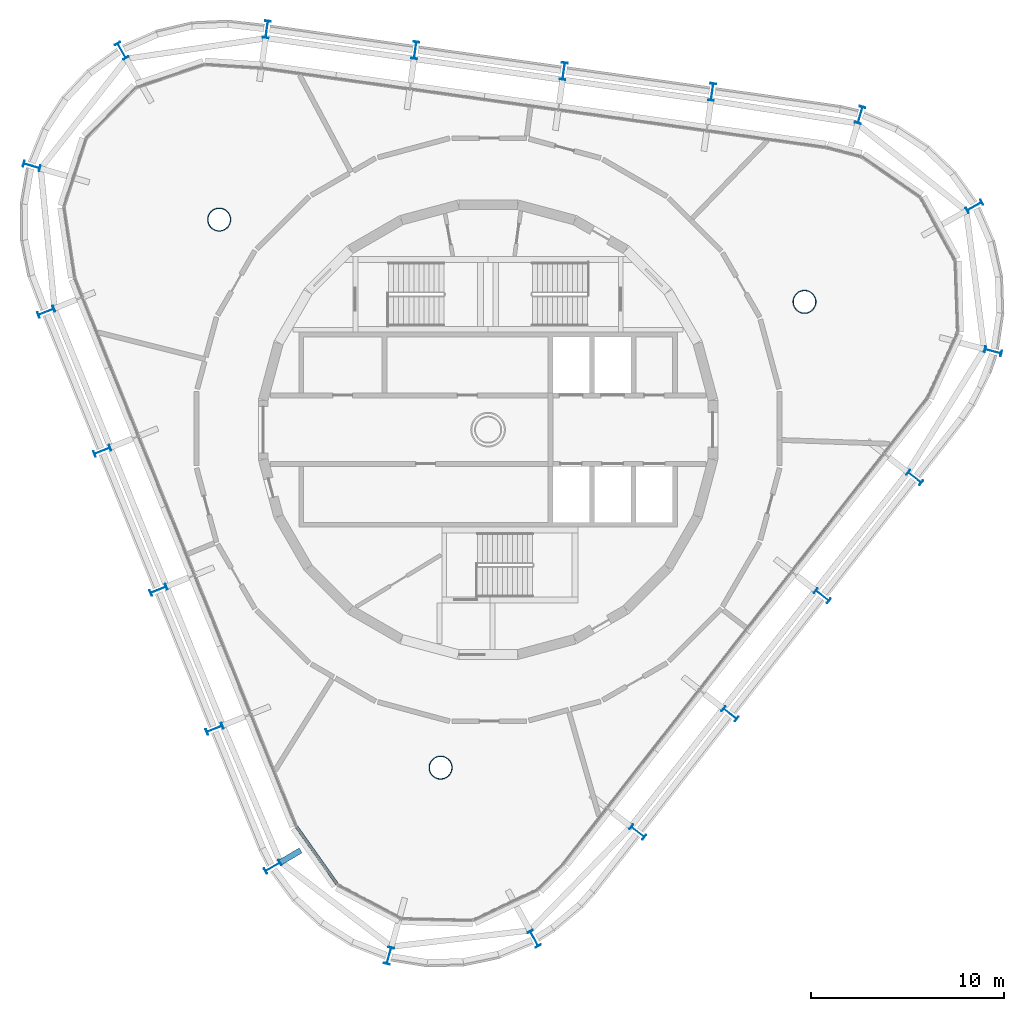
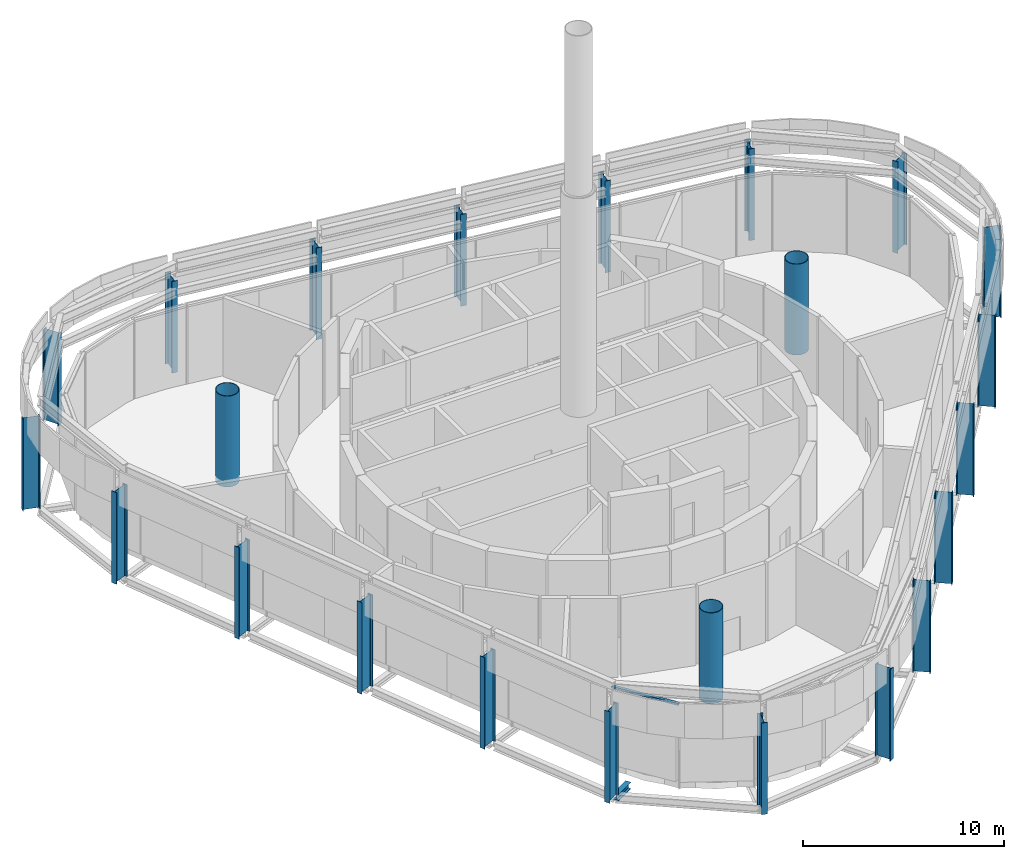
# One storey, part 1 of 15: 23 columns, 1 beam, 1 member, 1 element without a shape of its own.
"""IFC4 building model written with IfcOpenShell, lengths in metres."""

import ifcopenshell
import ifcopenshell.guid

model = None  # the IFC model being written
_history = None  # IfcOwnerHistory: only IFC2X3 demands one
_inside = {}  # id of a spatial element -> (the spatial element, [elements in it])
_under = {}  # id of a project, library or spatial element -> (it, [spatial elements below it])
_declared = {}  # id of a project -> (the project, [libraries it declares])
_typed = {}  # id of a type object -> (the type object, [elements of that type])
_made_of = {}  # id of a material, layer set ... -> (it, [elements and type objects made of it])


def new_model(schema):
    """Start an empty IFC model of exactly this schema.

    Asked for "IFC4X3", IfcOpenShell would pick the latest addendum, in which some entities
    have other attributes; the version numbers below select the first issue.
    IFC2X3 requires an IfcOwnerHistory on every rooted entity: one is made here for all.
    """
    global model, _history
    if schema == "IFC4X3":
        model = ifcopenshell.file(schema_version=(4, 3, 0, 0))
    else:
        model = ifcopenshell.file(schema=schema)
    _inside.clear()
    _under.clear()
    _declared.clear()
    _typed.clear()
    _made_of.clear()
    _history = None
    if model.schema == "IFC2X3":
        org = make("IfcOrganization", Name="unknown")
        user = make(
            "IfcPersonAndOrganization",
            ThePerson=make("IfcPerson", FamilyName="unknown"),
            TheOrganization=org,
        )
        app = make(
            "IfcApplication",
            ApplicationDeveloper=org,
            Version="unknown",
            ApplicationFullName="unknown",
            ApplicationIdentifier="unknown",
        )
        _history = make(
            "IfcOwnerHistory",
            OwningUser=user,
            OwningApplication=app,
            ChangeAction="ADDED",
            CreationDate=0,
        )
    return model


def make(cls, **values):
    """One entity of the class cls with the attributes given. An attribute that is None is left unset."""
    return model.create_entity(
        cls, **{name: value for name, value in values.items() if value is not None}
    )


def rooted(cls, **values):
    """An entity with a GlobalId (a new one), such as an element, a storey or a relation."""
    return make(cls, GlobalId=ifcopenshell.guid.new(), OwnerHistory=_history, **values)


def si_unit(unit_type, name, prefix=None):
    """IfcSIUnit, for example si_unit("LENGTHUNIT", "METRE", prefix="MILLI")."""
    return make("IfcSIUnit", UnitType=unit_type, Prefix=prefix, Name=name)


def assignment(units):
    """IfcUnitAssignment: the units of a project."""
    return None if units is None else make("IfcUnitAssignment", Units=units)


def point(xyz):
    """IfcCartesianPoint."""
    return None if xyz is None else make("IfcCartesianPoint", Coordinates=xyz)


def direction(xyz):
    """IfcDirection."""
    return None if xyz is None else make("IfcDirection", DirectionRatios=xyz)


def frame(location, z_axis=None, x_axis=None):
    """IfcAxis2Placement3D, a coordinate frame: its origin and axes. An axis left out is left unset."""
    return make(
        "IfcAxis2Placement3D",
        Location=point(location),
        Axis=direction(z_axis),
        RefDirection=direction(x_axis),
    )


def frame_2d(location, x_axis=None):
    """IfcAxis2Placement2D, a coordinate frame in the plane: its origin and x axis."""
    return make(
        "IfcAxis2Placement2D", Location=point(location), RefDirection=direction(x_axis)
    )


def origin():
    """The frame at (0, 0, 0) with its axes left unset."""
    return frame((0.0, 0.0, 0.0))


def origin_2d():
    """The frame at (0, 0) in the plane with its x axis left unset."""
    return frame_2d((0.0, 0.0))


def place(relative_to, where):
    """IfcLocalPlacement: puts the frame where relative to a parent placement (None: the world)."""
    return make(
        "IfcLocalPlacement", PlacementRelTo=relative_to, RelativePlacement=where
    )


def context(
    kind, dimensions, precision=None, world=None, true_north=None, identifier=None
):
    """IfcGeometricRepresentationContext, for example the 3D "Model" context."""
    return make(
        "IfcGeometricRepresentationContext",
        ContextIdentifier=identifier,
        ContextType=kind,
        CoordinateSpaceDimension=dimensions,
        Precision=precision,
        WorldCoordinateSystem=world,
        TrueNorth=true_north,
    )


def subcontext(parent, identifier, kind, view, scale=None):
    """IfcGeometricRepresentationSubContext, for example "Body" below "Model"."""
    return make(
        "IfcGeometricRepresentationSubContext",
        ContextIdentifier=identifier,
        ContextType=kind,
        ParentContext=parent,
        TargetScale=scale,
        TargetView=view,
    )


def project(units=None, contexts=None):
    """IfcProject with its units and contexts."""
    return rooted(
        "IfcProject",
        Name="project",
        RepresentationContexts=contexts,
        UnitsInContext=assignment(units),
    )


def spatial(cls, under=None, at=None, **own):
    """A site, building, storey or space (cls), placed at a placement, below another one or the project."""
    s = rooted(cls, ObjectPlacement=at, **own)
    if under is not None:
        _under.setdefault(under.id(), (under, []))[1].append(s)
    return s


def profile(cls, at=None, kind="AREA", **sizes):
    """A parametric profile (cls). Its sizes go by their IFC names, for example OverallWidth=200.0."""
    return make(cls, ProfileType=kind, Position=at, **sizes)


def rectangle(**sizes):
    """IfcRectangleProfileDef."""
    return profile("IfcRectangleProfileDef", **sizes)


def hollow_circle(**sizes):
    """IfcCircleHollowProfileDef."""
    return profile("IfcCircleHollowProfileDef", **sizes)


def i_section(**sizes):
    """IfcIShapeProfileDef."""
    return profile("IfcIShapeProfileDef", **sizes)


def extrude(swept, where, along, depth):
    """IfcExtrudedAreaSolid: the profile swept, set in the frame where, extruded along a direction by depth."""
    return make(
        "IfcExtrudedAreaSolid",
        SweptArea=swept,
        Position=where,
        ExtrudedDirection=direction(along),
        Depth=depth,
    )


def shape(context_of_items, identifier, shape_type, items):
    """IfcShapeRepresentation: the items that make up one representation, for example the "Body"."""
    return make(
        "IfcShapeRepresentation",
        ContextOfItems=context_of_items,
        RepresentationIdentifier=identifier,
        RepresentationType=shape_type,
        Items=items,
    )


def material(Name=None, Category=None):
    """IfcMaterial."""
    return make("IfcMaterial", Name=Name, Category=Category)


def layer(
    of_material, thickness, ventilated=None, Name=None, Category=None, Priority=None
):
    """IfcMaterialLayer: one layer of a wall or slab, of a material (None: an air gap)."""
    return make(
        "IfcMaterialLayer",
        Material=of_material,
        LayerThickness=thickness,
        IsVentilated=ventilated,
        Name=Name,
        Category=Category,
        Priority=Priority,
    )


def layer_set(layers, Name=None):
    """IfcMaterialLayerSet."""
    return make("IfcMaterialLayerSet", MaterialLayers=layers, LayerSetName=Name)


def material_profile(
    of_material, cross_section, Name=None, Category=None, Priority=None
):
    """IfcMaterialProfile: a cross section and its material."""
    return make(
        "IfcMaterialProfile",
        Name=Name,
        Material=of_material,
        Profile=cross_section,
        Priority=Priority,
        Category=Category,
    )


def profile_set(profiles, Name=None, composite=None):
    """IfcMaterialProfileSet."""
    return make(
        "IfcMaterialProfileSet",
        Name=Name,
        MaterialProfiles=profiles,
        CompositeProfile=composite,
    )


def made_of(thing, what):
    """Note that an element or type object is made of a material, layer set ...; save() writes the relation."""
    if what is not None:
        _made_of.setdefault(what.id(), (what, []))[1].append(thing)
    return thing


def type_object(cls, material=None, **own):
    """A type object (cls), such as IfcWallType, which elements share."""
    return made_of(rooted(cls, **own), material)


def element(
    cls,
    number,
    at=None,
    inside=None,
    cuts=None,
    type_object=None,
    material=None,
    context=None,
    identifier="Body",
    shape_type=None,
    held_by="IfcProductDefinitionShape",
    body=None,
    shapes=None,
    **own,
):
    """One element of the class cls, such as IfcWall. Its Tag is "e" and its number.

    at: its placement. inside: the storey or other place that contains it. cuts: it is an
    opening in that element (IfcRelVoidsElement). A single representation is given by context,
    identifier, shape_type and body (its items); several are given by shapes. held_by: the class
    of the entity that holds the representations. save() writes the other relations.
    """
    e = rooted(cls, Tag="e%d" % number, ObjectPlacement=at, **own)
    if body is not None:
        shapes = [shape(context, identifier, shape_type, body)]
    if shapes is not None:
        e.Representation = make(held_by, Representations=shapes)
    if inside is not None:
        _inside.setdefault(inside.id(), (inside, []))[1].append(e)
    if cuts is not None:
        rooted(
            "IfcRelVoidsElement", RelatingBuildingElement=cuts, RelatedOpeningElement=e
        )
    if type_object is not None:
        _typed.setdefault(type_object.id(), (type_object, []))[1].append(e)
    return made_of(e, material)


def aggregate(whole, parts):
    """IfcRelAggregates: a whole, such as a stair, and the parts it consists of."""
    return rooted("IfcRelAggregates", RelatingObject=whole, RelatedObjects=parts)


def save(model, path):
    """Write the relations noted so far, then the file.

    IfcRelAggregates (storeys below a building ...), IfcRelContainedInSpatialStructure (elements
    in a storey), IfcRelDefinesByType, IfcRelAssociatesMaterial and IfcRelDeclares: one each for
    every whole, place, type object, material and project.
    """
    for whole, parts in _under.values():
        aggregate(whole, parts)
    for where, things in _inside.values():
        rooted(
            "IfcRelContainedInSpatialStructure",
            RelatedElements=things,
            RelatingStructure=where,
        )
    for kind, things in _typed.values():
        rooted("IfcRelDefinesByType", RelatedObjects=things, RelatingType=kind)
    for what, things in _made_of.values():
        rooted("IfcRelAssociatesMaterial", RelatedObjects=things, RelatingMaterial=what)
    for by, libraries in _declared.values():
        rooted("IfcRelDeclares", RelatingContext=by, RelatedDefinitions=libraries)
    model.write(path)


model = new_model("IFC4")

# Units and contexts
model_context = context("Model", 3, precision=1e-05, world=origin(), true_north=direction((0.0, 1.0)))
body_context = subcontext(model_context, "Body", "Model", "MODEL_VIEW")
ifc_project = project(units=[si_unit("LENGTHUNIT", "METRE"), si_unit("AREAUNIT", "SQUARE_METRE"), si_unit("VOLUMEUNIT", "CUBIC_METRE"), si_unit("PLANEANGLEUNIT", "RADIAN"), si_unit("MASSUNIT", "GRAM", prefix="KILO")], contexts=[model_context])

# Site, building, storey
site_placement = place(None, origin())
site = spatial("IfcSite", under=ifc_project, at=site_placement, CompositionType="ELEMENT")
building_placement = place(site_placement, origin())
building = spatial("IfcBuilding", under=site, at=building_placement, Name="Spindle Arch Residences", CompositionType="ELEMENT")
storey_placement = place(building_placement, frame((0.0, 0.0, 366.199951171875)))
storey = spatial("IfcBuildingStorey", under=building, at=storey_placement, Name="L94", CompositionType="ELEMENT", Elevation=366.199951171875)

# Columns
ifc_material_1 = material(Name="Steel S460ML, intumescent coating R 240", Category="steel")
ifc_material_profile_1 = material_profile(ifc_material_1, i_section(OverallWidth=0.300048828125, OverallDepth=0.89990234375, WebThickness=0.0185546875, FlangeThickness=0.034912109375, FilletRadius=0.030029296875, at=origin_2d()), Name="HEB 900")
ifc_profile_set_1 = profile_set([ifc_material_profile_1], Name="Steel S460ML, intumescent coating R 240")
column_type_1 = type_object("IfcColumnType", Name="Exoskeleton post HEB 900", PredefinedType="COLUMN", material=ifc_profile_set_1)
for number, where, z_axis, x_axis, name in (
    (1, (17.314208984375, -8.60009765625, -0.3798828125), (0.0, 0.0, 1.0), (-0.615661060634, -0.788011077599, 0.0), "Exoskeleton post 1"),
    (2, (22.09521484375, -2.480712890625, -0.3798828125), (0.0, 0.0, 1.0), (-0.615661060634, -0.788011077599, 0.0), "Exoskeleton post 2"),
    (3, (26.15869140625, 4.05712890625, -0.3798828125), (0.0, 0.0, 1.0), (-0.253940928912, -0.967219729236, 0.0), "Exoskeleton post 3"),
    (4, (25.19384765625, 11.571044921875, -0.3798828125), (0.0, 0.0, 1.0), (0.490023975195, -0.871708955865, 0.0), "Exoskeleton post 4"),
    (5, (19.27587890625, 16.30078125, -0.3798828125), (0.0, 0.0, 1.0), (0.958298489612, -0.285769146005, 0.0), "Exoskeleton post 5"),
    (6, (11.607421875, 17.4931640625, -0.3798828125), (0.0, 0.0, 1.0), (0.990268081324, -0.139173011432, 0.0), "Exoskeleton post 6"),
    (7, (3.91748046875, 18.573974609375, -0.3798828125), (0.0, 0.0, 1.0), (0.990268081324, -0.139173011432, 0.0), "Exoskeleton post 7"),
    (8, (-3.772705078125, 19.65478515625, -0.3798828125), (0.0, 0.0, 1.0), (0.990268081324, -0.139173011432, 0.0), "Exoskeleton post 8"),
    (9, (-11.462646484375, 20.735595703125, -0.3798828125), (0.0, 0.0, 1.0), (0.990268081324, -0.139173011432, 0.0), "Exoskeleton post 9"),
    (10, (-18.9755859375, 19.632080078125, -0.3798828125), (0.0, 0.0, 1.0), (0.866256848037, 0.499598912358, 0.0), "Exoskeleton post 10"),
    (11, (-23.6396484375, 13.662353515625, -0.3798828125), (0.0, 0.0, 1.0), (0.275193000466, 0.96138900165, 0.0), "Exoskeleton post 11"),
    (12, (-22.892578125, 6.105712890625, -0.3798828125), (0.0, 0.0, 1.0), (-0.374606892434, 0.927183733755, 0.0), "Exoskeleton post 12"),
    (13, (-19.983642578125, -1.094482421875, -0.3798828125), (0.0, 0.0, 1.0), (-0.374606892434, 0.927183733755, 0.0), "Exoskeleton post 13"),
    (14, (-17.07470703125, -8.29443359375, -0.3798828125), (0.0, 0.0, 1.0), (-0.374606892434, 0.927183733755, 0.0), "Exoskeleton post 14"),
    (15, (-14.16552734375, -15.49462890625, -0.3798828125), (0.0, 0.0, 1.0), (-0.374606892434, 0.927183733755, 0.0), "Exoskeleton post 15"),
    (16, (-11.1533203125, -22.64697265625, -0.3798828125), (0.0, 0.0, 1.0), (-0.509114042361, 0.86069907161, 0.0), "Exoskeleton post 16"),
    (17, (-5.13232421875, -27.244873046875, -0.3798828125), (0.0, 0.0, 1.0), (-0.964362923017, 0.264582978873, 0.0), "Exoskeleton post 17"),
    (18, (2.391845703125, -26.363037109375, -0.3798828125), (0.0, 0.0, 1.0), (-0.877055410309, -0.480389224741, 0.0), "Exoskeleton post 18"),
    (19, (7.752197265625, -20.838623046875, -0.3798828125), (0.0, 0.0, 1.0), (-0.615661060634, -0.788011077599, 0.0), "Exoskeleton post 19"),
    (20, (12.533203125, -14.71923828125, -0.3798828125), (0.0, 0.0, 1.0), (-0.615661060634, -0.788011077599, 0.0), "Exoskeleton post 20"),
):
    element("IfcColumn", number, at=place(storey_placement, frame(where, z_axis=z_axis, x_axis=x_axis)), inside=storey, type_object=column_type_1, Name=name, PredefinedType="COLUMN", context=body_context, shape_type="SweptSolid", body=[
        extrude(i_section(OverallWidth=0.300048828125, OverallDepth=0.89990234375, WebThickness=0.0185546875, FlangeThickness=0.034912109375, FilletRadius=0.030029296875, at=origin_2d()), origin(), (0.0, 0.0, 1.0), 5.579833984375),
    ])
ifc_material_2 = material(Name="Concrete C50/60 filled steel tube S460ML, intumescent coating R 240", Category="concrete")
ifc_material_profile_2 = material_profile(ifc_material_2, hollow_circle(Radius=0.60009765625, WallThickness=0.030029296875, at=origin_2d()), Name="CFT D1200x30")
ifc_profile_set_2 = profile_set([ifc_material_profile_2], Name="Concrete C50/60 filled steel tube S460ML, intumescent coating R 240")
column_type_2 = type_object("IfcColumnType", Name="Mega-column CFT D1200x30", PredefinedType="COLUMN", material=ifc_profile_set_2)
for number, where, z_axis, x_axis, name in (
    (21, (16.3896484375, 6.621826171875, -0.3798828125), (0.0, 0.0, 1.0), (1.0, 0.0, 0.0), "Mega-column 1"),
    (22, (-13.929443359375, 10.883056640625, -0.3798828125), (0.0, 0.0, 1.0), (1.0, 0.0, 0.0), "Mega-column 2"),
    (23, (-2.460205078125, -17.5048828125, -0.3798828125), (0.0, 0.0, 1.0), (1.0, 0.0, 0.0), "Mega-column 3"),
):
    element("IfcColumn", number, at=place(storey_placement, frame(where, z_axis=z_axis, x_axis=x_axis)), inside=storey, type_object=column_type_2, Name=name, PredefinedType="COLUMN", context=body_context, shape_type="SweptSolid", body=[
        extrude(hollow_circle(Radius=0.60009765625, WallThickness=0.030029296875, at=origin_2d()), origin(), (0.0, 0.0, 1.0), 5.5400390625),
    ])

# Curtain wall, member
ifc_material_3 = material(Name="Aluminium bronze unitised frame with tinted glass", Category="aluminium")
ifc_layer = layer(ifc_material_3, 0.159912109375)
ifc_layer_set = layer_set([ifc_layer], Name="CW-F crown plant glazed wall")
curtain_wall_type = type_object("IfcCurtainWallType", Name="CW-F crown plant glazed wall", PredefinedType="NOTDEFINED", material=ifc_layer_set)
curtain_wall_placement = place(storey_placement, origin())
curtain_wall = element("IfcCurtainWall", 24, at=curtain_wall_placement, inside=storey, type_object=curtain_wall_type, Name="CW-F L94 run 5", PredefinedType="NOTDEFINED")
ifc_material_4 = material(Name="Aluminium bronze anodised transom", Category="aluminium")
ifc_material_profile_3 = material_profile(ifc_material_4, rectangle(XDim=0.159912109375, YDim=0.1201171875, at=origin_2d()), Name="TR 120x160")
ifc_profile_set_3 = profile_set([ifc_material_profile_3], Name="Aluminium bronze anodised transom")
member_type = type_object("IfcMemberType", Name="Bronze transom 120x160", PredefinedType="USERDEFINED", material=ifc_profile_set_3)
member_placement = place(storey_placement, frame((-9.934326171875, -20.55615234375, 4.739990234375), z_axis=(0.578349828601, -0.815788867145, 0.0), x_axis=(0.815788867145, 0.578349828601, 0.0)))
member = element("IfcMember", 25, at=member_placement, type_object=member_type, Name="CW-F transom 01", ObjectType="TRANSOM", PredefinedType="USERDEFINED", context=body_context, shape_type="SweptSolid", body=[
    extrude(rectangle(XDim=0.159912109375, YDim=0.1201171875, at=origin_2d()), origin(), (0.0, 0.0, 1.0), 3.666748046875),
])
aggregate(curtain_wall, [member])

# Beam
ifc_material_5 = material(Name="Steel S460ML, intumescent coating R 120", Category="steel")
ifc_material_profile_4 = material_profile(ifc_material_5, i_section(OverallWidth=0.300048828125, OverallDepth=0.389892578125, WebThickness=0.010986328125, FlangeThickness=0.01904296875, FilletRadius=0.027099609375, at=origin_2d()), Name="HEA 400")
ifc_profile_set_4 = profile_set([ifc_material_profile_4], Name="Steel S460ML, intumescent coating R 120")
beam_type = type_object("IfcBeamType", Name="Floor outrigger HEA 400", PredefinedType="BEAM", material=ifc_profile_set_4)
beam_placement = place(storey_placement, frame((-10.765869140625, -22.417724609375, -0.574951171875), z_axis=(0.860752508727, 0.509023691709, 0.0), x_axis=(-0.509023691709, 0.860752508727, 0.0)))
element("IfcBeam", 26, at=beam_placement, inside=storey, type_object=beam_type, Name="Floor outrigger 16", PredefinedType="BEAM", context=body_context, shape_type="SweptSolid", body=[
    extrude(i_section(OverallWidth=0.300048828125, OverallDepth=0.389892578125, WebThickness=0.010986328125, FlangeThickness=0.01904296875, FilletRadius=0.027099609375, at=origin_2d()), origin(), (0.0, 0.0, 1.0), 1.229248046875),
])

save(model, "model.ifc")
